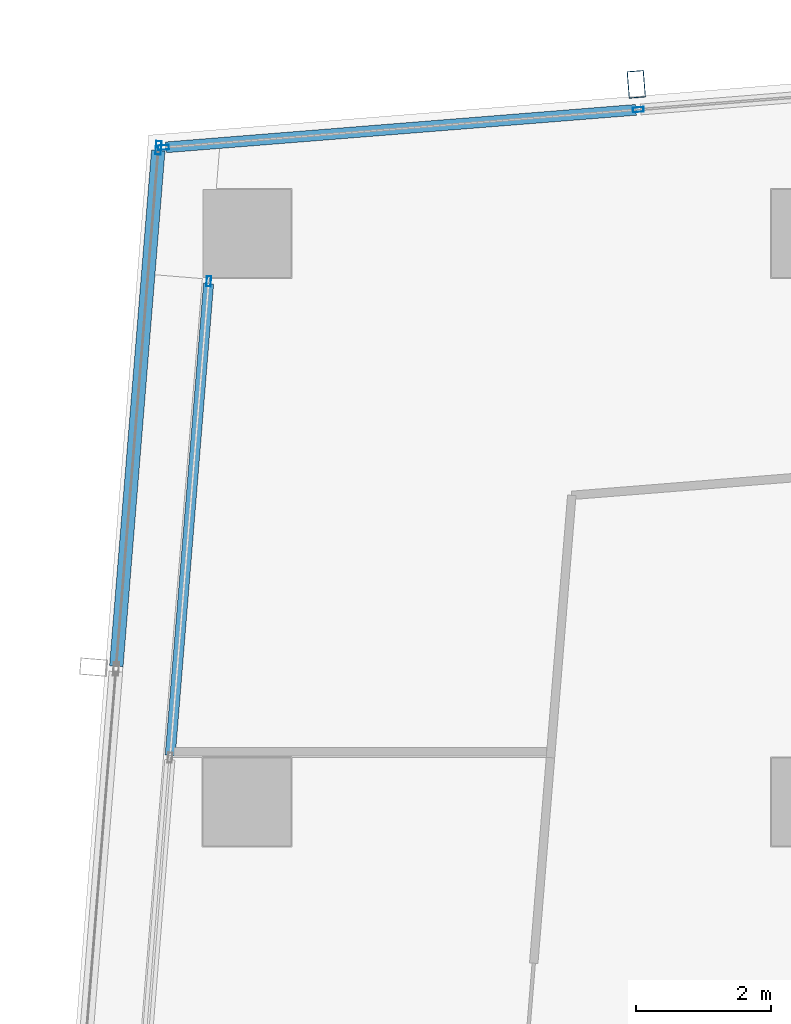
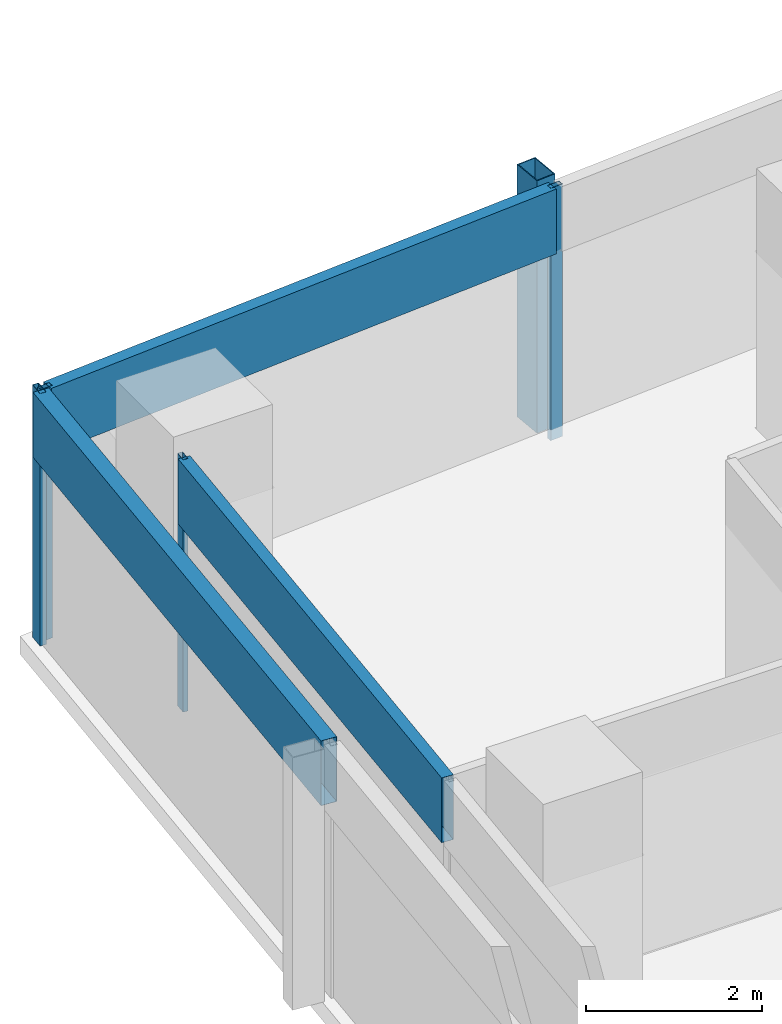
# One storey, part 15 of 29: 8 members, 3 elements without a shape of their own.
"""IFC4 building model written with IfcOpenShell, lengths in metres."""

from ifc_helpers import new_model, si_unit, direction, frame, origin, origin_2d, place, context, subcontext, project, spatial, hollow_rectangle, extrude, material, material_profile, profile_set, type_object, element, aggregate, save


model = new_model("IFC4")

# Units and contexts
model_context = context("Model", 3, precision=1e-05, world=origin(), true_north=direction((0.0, 1.0)))
body_context = subcontext(model_context, "Body", "Model", "MODEL_VIEW")
ifc_project = project(units=[si_unit("LENGTHUNIT", "METRE"), si_unit("AREAUNIT", "SQUARE_METRE"), si_unit("VOLUMEUNIT", "CUBIC_METRE"), si_unit("PLANEANGLEUNIT", "RADIAN"), si_unit("MASSUNIT", "GRAM", prefix="KILO")], contexts=[model_context])

# Site, building, storey
site_placement = place(None, origin())
site = spatial("IfcSite", under=ifc_project, at=site_placement, CompositionType="ELEMENT")
building_placement = place(site_placement, origin())
building = spatial("IfcBuilding", under=site, at=building_placement, Name="Rekha Terrace Tower", CompositionType="ELEMENT")
storey_placement = place(building_placement, frame((0.0, 0.0, 280.10009765625)))
storey = spatial("IfcBuildingStorey", under=building, at=storey_placement, Name="L71", CompositionType="ELEMENT", Elevation=280.10009765625)

# Curtain wall, member
ifc_material_1 = material(Name="Aluminium framing", Category="aluminium")
curtain_wall_type_1 = type_object("IfcCurtainWallType", Name="CW3 north unitised glazing", PredefinedType="USERDEFINED", material=ifc_material_1)
curtain_wall_1_placement = place(storey_placement, origin())
curtain_wall_1 = element("IfcCurtainWall", 1, at=curtain_wall_1_placement, inside=storey, type_object=curtain_wall_type_1, Name="CW3 unitised curtain wall", ObjectType="UNITISED CURTAIN WALL", PredefinedType="USERDEFINED")
ifc_material_2 = material(Name="Steel S355 with fluorocarbon finish", Category="steel")
ifc_material_profile_1 = material_profile(ifc_material_2, hollow_rectangle(XDim=0.25, YDim=0.39990234375, WallThickness=0.012451171875, at=origin_2d()), Name="RHS400x250x12.5")
ifc_profile_set_1 = profile_set([ifc_material_profile_1], Name="Steel S355 with fluorocarbon finish")
member_type_1 = type_object("IfcMemberType", Name="BL1 facade blade RHS 400 x 250", PredefinedType="USERDEFINED", material=ifc_profile_set_1)
member_1_placement = place(storey_placement, frame((14.1513671875, 52.599853515625, 0.0), z_axis=(0.0, 0.0, 1.0), x_axis=(-0.996836012392, -0.079485623849, 0.0)))
member_1 = element("IfcMember", 2, at=member_1_placement, type_object=member_type_1, Name="Facade blade", ObjectType="FACADE BLADE", PredefinedType="USERDEFINED", context=body_context, shape_type="SweptSolid", body=[
    extrude(hollow_rectangle(XDim=0.25, YDim=0.39990234375, WallThickness=0.012451171875, at=origin_2d()), origin(), (0.0, 0.0, 1.0), 3.5),
])

# Curtain wall, members
curtain_wall_type_2 = type_object("IfcCurtainWallType", Name="CW1 double skin inner glazing", PredefinedType="USERDEFINED", material=ifc_material_1)
curtain_wall_2_placement = place(storey_placement, origin())
curtain_wall_2 = element("IfcCurtainWall", 3, at=curtain_wall_2_placement, inside=storey, type_object=curtain_wall_type_2, Name="CW1 double skin inner glazing", ObjectType="DOUBLE SKIN INNER GLAZING", PredefinedType="USERDEFINED")
ifc_material_3 = material(Name="Aluminium mullion section", Category="aluminium")
ifc_material_profile_2 = material_profile(ifc_material_3, hollow_rectangle(XDim=0.06494140625, YDim=0.14990234375, WallThickness=0.00390625, at=origin_2d()), Name="AL RHS 65x150")
ifc_profile_set_2 = profile_set([ifc_material_profile_2], Name="Aluminium mullion section")
member_type_2 = type_object("IfcMemberType", Name="CW1 mullion RHS 65 x 150", PredefinedType="MULLION", material=ifc_profile_set_2)
member_2_placement = place(storey_placement, frame((7.837890625, 49.690185546875, 0.0), z_axis=(0.0, 0.0, 1.0), x_axis=(0.996708580524, -0.081067906781, 0.0)))
member_2 = element("IfcMember", 4, at=member_2_placement, type_object=member_type_2, Name="CW1 mullion 1", PredefinedType="MULLION", context=body_context, shape_type="SweptSolid", body=[
    extrude(hollow_rectangle(XDim=0.06494140625, YDim=0.14990234375, WallThickness=0.00390625, at=origin_2d()), origin(), (0.0, 0.0, 1.0), 3.5),
])
ifc_material_4 = material(Name="Insulated aluminium spandrel box", Category="aluminium")
ifc_material_profile_3 = material_profile(ifc_material_4, hollow_rectangle(XDim=0.14990234375, YDim=0.89990234375, WallThickness=0.0029296875, at=origin_2d()), Name="AL SPANDREL BOX 150x900")
ifc_profile_set_3 = profile_set([ifc_material_profile_3], Name="Insulated aluminium spandrel box")
member_type_3 = type_object("IfcMemberType", Name="CW1 spandrel transom 150 x 900", PredefinedType="USERDEFINED", material=ifc_profile_set_3)
member_3_placement = place(storey_placement, frame((7.835205078125, 49.65771484375, 3.0498046875), z_axis=(-0.081074618383, -0.996708034609, 0.0), x_axis=(0.996708034609, -0.081074618383, 0.0)))
member_3 = element("IfcMember", 5, at=member_3_placement, type_object=member_type_3, Name="CW1 spandrel transom 1", ObjectType="TRANSOM", PredefinedType="USERDEFINED", context=body_context, shape_type="SweptSolid", body=[
    extrude(hollow_rectangle(XDim=0.14990234375, YDim=0.89990234375, WallThickness=0.0029296875, at=origin_2d()), origin(), (0.0, 0.0, 1.0), 6.9921875),
])
aggregate(curtain_wall_2, [member_2, member_3])

curtain_wall_type_3 = type_object("IfcCurtainWallType", Name="CW2 double skin outer glazing", PredefinedType="USERDEFINED", material=ifc_material_1)
curtain_wall_3_placement = place(storey_placement, origin())
curtain_wall_3 = element("IfcCurtainWall", 6, at=curtain_wall_3_placement, inside=storey, type_object=curtain_wall_type_3, Name="CW2 double skin outer glazing", ObjectType="DOUBLE SKIN OUTER GLAZING", PredefinedType="USERDEFINED")
ifc_material_profile_4 = material_profile(ifc_material_3, hollow_rectangle(XDim=0.080078125, YDim=0.199951171875, WallThickness=0.00390625, at=origin_2d()), Name="AL RHS 80x200")
ifc_profile_set_4 = profile_set([ifc_material_profile_4], Name="Aluminium mullion section")
member_type_4 = type_object("IfcMemberType", Name="CW2 mullion RHS 80 x 200", PredefinedType="MULLION", material=ifc_profile_set_4)
member_4_placement = place(storey_placement, frame((7.09521484375, 51.661376953125, 0.0), z_axis=(0.0, 0.0, 1.0), x_axis=(0.996708580521, -0.081067906816, 0.0)))
member_4 = element("IfcMember", 7, at=member_4_placement, type_object=member_type_4, Name="CW2 mullion 1", PredefinedType="MULLION", context=body_context, shape_type="SweptSolid", body=[
    extrude(hollow_rectangle(XDim=0.080078125, YDim=0.199951171875, WallThickness=0.00390625, at=origin_2d()), origin(), (0.0, 0.0, 1.0), 3.5),
])
ifc_material_profile_5 = material_profile(ifc_material_4, hollow_rectangle(XDim=0.199951171875, YDim=0.89990234375, WallThickness=0.0029296875, at=origin_2d()), Name="AL SPANDREL BOX 200x900")
ifc_profile_set_5 = profile_set([ifc_material_profile_5], Name="Insulated aluminium spandrel box")
member_type_5 = type_object("IfcMemberType", Name="CW2 spandrel transom 200 x 900", PredefinedType="USERDEFINED", material=ifc_profile_set_5)
member_5_placement = place(storey_placement, frame((7.092041015625, 51.62158203125, 3.0498046875), z_axis=(-0.081093832935, -0.996706471465, 0.0), x_axis=(0.996706471465, -0.081093832935, 0.0)))
member_5 = element("IfcMember", 8, at=member_5_placement, type_object=member_type_5, Name="CW2 spandrel transom 1", ObjectType="TRANSOM", PredefinedType="USERDEFINED", context=body_context, shape_type="SweptSolid", body=[
    extrude(hollow_rectangle(XDim=0.199951171875, YDim=0.89990234375, WallThickness=0.0029296875, at=origin_2d()), origin(), (0.0, 0.0, 1.0), 7.640869140625),
])
aggregate(curtain_wall_3, [member_4, member_5])

# Member
ifc_material_profile_6 = material_profile(ifc_material_3, hollow_rectangle(XDim=0.070068359375, YDim=0.159912109375, WallThickness=0.00390625, at=origin_2d()), Name="AL RHS 70x160")
ifc_profile_set_6 = profile_set([ifc_material_profile_6], Name="Aluminium mullion section")
member_type_6 = type_object("IfcMemberType", Name="CW3 mullion RHS 70 x 160", PredefinedType="MULLION", material=ifc_profile_set_6)
member_6_placement = place(storey_placement, frame((14.18115234375, 52.22607421875, 0.0), z_axis=(0.0, 0.0, 1.0), x_axis=(0.07948505154, -0.996836058026, 0.0)))
member_6 = element("IfcMember", 9, at=member_6_placement, type_object=member_type_6, Name="CW3 mullion 3", PredefinedType="MULLION", context=body_context, shape_type="SweptSolid", body=[
    extrude(hollow_rectangle(XDim=0.070068359375, YDim=0.159912109375, WallThickness=0.00390625, at=origin_2d()), origin(), (0.0, 0.0, 1.0), 3.5),
])

member_7_placement = place(storey_placement, frame((7.17041015625, 51.6669921875, 0.0), z_axis=(0.0, 0.0, 1.0), x_axis=(0.07948505154, -0.996836058026, 0.0)))
member_7 = element("IfcMember", 10, at=member_7_placement, type_object=member_type_6, Name="CW3 mullion 4", PredefinedType="MULLION", context=body_context, shape_type="SweptSolid", body=[
    extrude(hollow_rectangle(XDim=0.070068359375, YDim=0.159912109375, WallThickness=0.00390625, at=origin_2d()), origin(), (0.0, 0.0, 1.0), 3.5),
])

ifc_material_profile_7 = material_profile(ifc_material_4, hollow_rectangle(XDim=0.159912109375, YDim=0.89990234375, WallThickness=0.0029296875, at=origin_2d()), Name="AL SPANDREL BOX 160x900")
ifc_profile_set_7 = profile_set([ifc_material_profile_7], Name="Insulated aluminium spandrel box")
member_type_7 = type_object("IfcMemberType", Name="CW3 spandrel transom 160 x 900", PredefinedType="USERDEFINED", material=ifc_profile_set_7)
member_8_placement = place(storey_placement, frame((14.146240234375, 52.22314453125, 3.0498046875), z_axis=(-0.996835870382, -0.079487404789, 0.0), x_axis=(0.079487404789, -0.996835870382, 0.0)))
member_8 = element("IfcMember", 11, at=member_8_placement, type_object=member_type_7, Name="CW3 spandrel transom 3", ObjectType="TRANSOM", PredefinedType="USERDEFINED", context=body_context, shape_type="SweptSolid", body=[
    extrude(hollow_rectangle(XDim=0.159912109375, YDim=0.89990234375, WallThickness=0.0029296875, at=origin_2d()), origin(), (0.0, 0.0, 1.0), 6.962890625),
])

aggregate(curtain_wall_1, [member_6, member_7, member_8, member_1])

save(model, "model.ifc")
